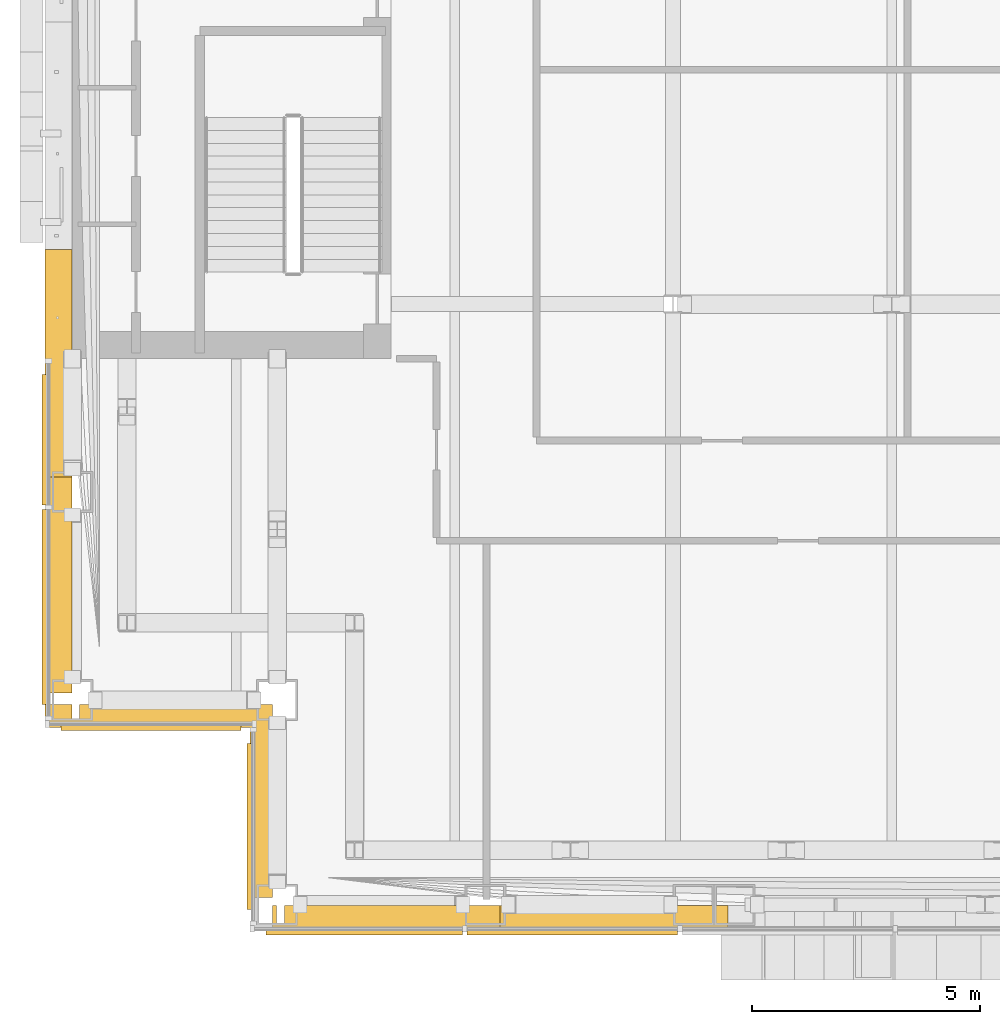
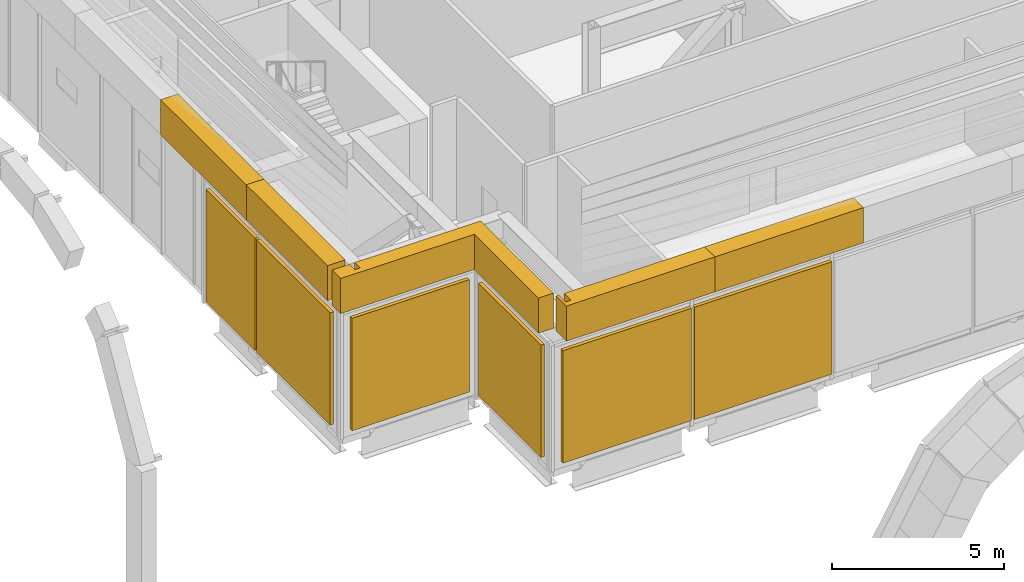
# One storey, part 15 of 38: 11 coverings.
"""IFC4 building model written with IfcOpenShell, lengths in metres."""

from ifc_helpers import new_model, si_unit, direction, frame, origin, origin_2d, place, context, subcontext, project, spatial, polyline, rectangle, outline, extrude, material, type_object, element, save


model = new_model("IFC4")

# Units and contexts
model_context = context("Model", 3, precision=1e-05, world=origin(), true_north=direction((0.0, 1.0)))
body_context = subcontext(model_context, "Body", "Model", "MODEL_VIEW")
ifc_project = project(units=[si_unit("LENGTHUNIT", "METRE"), si_unit("AREAUNIT", "SQUARE_METRE"), si_unit("VOLUMEUNIT", "CUBIC_METRE"), si_unit("PLANEANGLEUNIT", "RADIAN"), si_unit("MASSUNIT", "GRAM", prefix="KILO")], contexts=[model_context])

# Site, building, storey
site_placement = place(None, origin())
site = spatial("IfcSite", under=ifc_project, at=site_placement, CompositionType="ELEMENT")
building_placement = place(site_placement, origin())
building = spatial("IfcBuilding", under=site, at=building_placement, Name="Cobrizo Arcos Hotel Tower", CompositionType="ELEMENT")
storey_placement = place(building_placement, frame((0.0, 0.0, 138.0)))
storey = spatial("IfcBuildingStorey", under=building, at=storey_placement, Name="L35", CompositionType="ELEMENT", Elevation=138.0)

# Coverings
ifc_material_1 = material(Name="Aluminium 6063-T6 anodised pale", Category="aluminium")
covering_type_1 = type_object("IfcCoveringType", Name="LF-1 setback skirt", PredefinedType="CLADDING", material=ifc_material_1)
covering_1_placement = place(storey_placement, frame((0.0, 0.0, 4.5)))
element("IfcCovering", 1, at=covering_1_placement, inside=storey, type_object=covering_type_1, Name="Setback skirt L35", PredefinedType="CLADDING", context=body_context, shape_type="SweptSolid", body=[
    extrude(outline(polyline([(-22.81005859375, -18.699951171875), (-22.81005859375, -18.39990234375), (-23.39990234375, -18.39990234375), (-23.39990234375, -18.89990234375), (-18.89990234375, -18.89990234375), (-18.89990234375, -22.639892578125), (-18.39990234375, -22.639892578125), (-18.39990234375, -18.39990234375), (-22.639892578125, -18.39990234375), (-22.639892578125, -18.699951171875), (-22.639892578125, -18.700927734375), (-22.64013671875, -18.701904296875), (-22.640380859375, -18.702880859375), (-22.640869140625, -18.703857421875), (-22.64111328125, -18.70458984375), (-22.6416015625, -18.70556640625), (-22.642333984375, -18.706298828125), (-22.642822265625, -18.70703125), (-22.643798828125, -18.707763671875), (-22.644287109375, -18.708251953125), (-22.645263671875, -18.708740234375), (-22.646240234375, -18.709228515625), (-22.647216796875, -18.709716796875), (-22.64794921875, -18.709716796875), (-22.64892578125, -18.7099609375), (-22.64990234375, -18.7099609375), (-22.800048828125, -18.7099609375), (-22.801025390625, -18.7099609375), (-22.802001953125, -18.709716796875), (-22.802978515625, -18.709716796875), (-22.8037109375, -18.709228515625), (-22.8046875, -18.708740234375), (-22.8056640625, -18.708251953125), (-22.806396484375, -18.707763671875), (-22.80712890625, -18.70703125), (-22.8076171875, -18.706298828125), (-22.808349609375, -18.70556640625), (-22.808837890625, -18.70458984375), (-22.80908203125, -18.703857421875), (-22.8095703125, -18.702880859375), (-22.809814453125, -18.701904296875), (-22.81005859375, -18.700927734375), (-22.81005859375, -18.699951171875)])), origin(), (0.0, 0.0, 1.0), 1.25),
])
covering_2_placement = place(storey_placement, frame((0.0, 0.0, 4.5)))
element("IfcCovering", 2, at=covering_2_placement, inside=storey, type_object=covering_type_1, Name="Setback skirt L35", PredefinedType="CLADDING", context=body_context, shape_type="SweptSolid", body=[
    extrude(outline(polyline([(-22.81005859375, -18.139892578125), (-22.81005859375, -13.39990234375), (-23.39990234375, -13.39990234375), (-23.39990234375, -18.139892578125), (-22.81005859375, -18.139892578125)])), origin(), (0.0, 0.0, 1.0), 1.25),
])
covering_3_placement = place(storey_placement, frame((0.0, 0.0, 4.5)))
element("IfcCovering", 3, at=covering_3_placement, inside=storey, type_object=covering_type_1, Name="Setback skirt L35", PredefinedType="CLADDING", context=body_context, shape_type="SweptSolid", body=[
    extrude(outline(polyline([(-22.81005859375, -13.39990234375), (-22.81005859375, -8.39990234375), (-23.39990234375, -8.39990234375), (-23.39990234375, -13.39990234375), (-22.81005859375, -13.39990234375)])), origin(), (0.0, 0.0, 1.0), 1.25),
])
covering_4_placement = place(storey_placement, frame((0.0, 0.0, 4.5)))
element("IfcCovering", 4, at=covering_4_placement, inside=storey, type_object=covering_type_1, Name="Setback skirt L35", PredefinedType="CLADDING", context=body_context, shape_type="SweptSolid", body=[
    extrude(outline(polyline([(-18.31005859375, -22.81005859375), (-18.39990234375, -22.81005859375), (-18.39990234375, -23.39990234375), (-13.39990234375, -23.39990234375), (-13.39990234375, -22.81005859375), (-18.139892578125, -22.81005859375), (-18.139892578125, -23.199951171875), (-18.139892578125, -23.200927734375), (-18.14013671875, -23.201904296875), (-18.140380859375, -23.202880859375), (-18.140869140625, -23.203857421875), (-18.14111328125, -23.20458984375), (-18.1416015625, -23.20556640625), (-18.142333984375, -23.206298828125), (-18.142822265625, -23.20703125), (-18.143798828125, -23.207763671875), (-18.144287109375, -23.208251953125), (-18.145263671875, -23.208740234375), (-18.146240234375, -23.209228515625), (-18.147216796875, -23.209716796875), (-18.14794921875, -23.209716796875), (-18.14892578125, -23.2099609375), (-18.14990234375, -23.2099609375), (-18.300048828125, -23.2099609375), (-18.301025390625, -23.2099609375), (-18.302001953125, -23.209716796875), (-18.302978515625, -23.209716796875), (-18.3037109375, -23.209228515625), (-18.3046875, -23.208740234375), (-18.3056640625, -23.208251953125), (-18.306396484375, -23.207763671875), (-18.30712890625, -23.20703125), (-18.3076171875, -23.206298828125), (-18.308349609375, -23.20556640625), (-18.308837890625, -23.20458984375), (-18.30908203125, -23.203857421875), (-18.3095703125, -23.202880859375), (-18.309814453125, -23.201904296875), (-18.31005859375, -23.200927734375), (-18.31005859375, -23.199951171875), (-18.31005859375, -22.81005859375)])), origin(), (0.0, 0.0, 1.0), 1.25),
])
covering_5_placement = place(storey_placement, frame((0.0, 0.0, 4.5)))
element("IfcCovering", 5, at=covering_5_placement, inside=storey, type_object=covering_type_1, Name="Setback skirt L35", PredefinedType="CLADDING", context=body_context, shape_type="SweptSolid", body=[
    extrude(outline(polyline([(-8.39990234375, -22.81005859375), (-13.39990234375, -22.81005859375), (-13.39990234375, -23.39990234375), (-8.39990234375, -23.39990234375), (-8.39990234375, -22.81005859375)])), origin(), (0.0, 0.0, 1.0), 1.25),
])
ifc_material_2 = material(Name="Aluminium 6063-T6 anodised bronze", Category="aluminium")
covering_type_2 = type_object("IfcCoveringType", Name="LV-1 plant louvre band", PredefinedType="CLADDING", material=ifc_material_2)
covering_6_placement = place(storey_placement, frame((-16.387451171875, -23.405029296875, 0.25), z_axis=(0.0, 0.0, 1.0), x_axis=(1.0, 0.0, 0.0)))
element("IfcCovering", 6, at=covering_6_placement, inside=storey, type_object=covering_type_2, Name="louvre band 1275", PredefinedType="CLADDING", context=body_context, shape_type="SweptSolid", body=[
    extrude(rectangle(XDim=4.324951171875, YDim=0.1201171875, at=origin_2d()), origin(), (0.0, 0.0, 1.0), 4.0),
])
covering_7_placement = place(storey_placement, frame((-11.8125, -23.405029296875, 0.25), z_axis=(0.0, 0.0, 1.0), x_axis=(1.0, 0.0, 0.0)))
element("IfcCovering", 7, at=covering_7_placement, inside=storey, type_object=covering_type_2, Name="louvre band 1276", PredefinedType="CLADDING", context=body_context, shape_type="SweptSolid", body=[
    extrude(rectangle(XDim=4.625, YDim=0.1201171875, at=origin_2d()), origin(), (0.0, 0.0, 1.0), 4.0),
])
covering_8_placement = place(storey_placement, frame((-23.405029296875, -12.581298828125, 0.25), z_axis=(0.0, 0.0, 1.0), x_axis=(0.0, -1.0, 0.0)))
element("IfcCovering", 8, at=covering_8_placement, inside=storey, type_object=covering_type_2, Name="louvre band 1303", PredefinedType="CLADDING", context=body_context, shape_type="SweptSolid", body=[
    extrude(rectangle(XDim=2.862548828125, YDim=0.1201171875, at=origin_2d()), origin(), (0.0, 0.0, 1.0), 4.0),
])
covering_9_placement = place(storey_placement, frame((-23.405029296875, -16.25634765625, 0.25), z_axis=(0.0, 0.0, 1.0), x_axis=(0.0, -1.0, 0.0)))
element("IfcCovering", 9, at=covering_9_placement, inside=storey, type_object=covering_type_2, Name="louvre band 1304", PredefinedType="CLADDING", context=body_context, shape_type="SweptSolid", body=[
    extrude(rectangle(XDim=4.28759765625, YDim=0.1201171875, at=origin_2d()), origin(), (0.0, 0.0, 1.0), 4.0),
])
covering_10_placement = place(storey_placement, frame((-21.074951171875, -18.905029296875, 0.25), z_axis=(0.0, 0.0, 1.0), x_axis=(1.0, 0.0, 0.0)))
element("IfcCovering", 10, at=covering_10_placement, inside=storey, type_object=covering_type_2, Name="louvre band 1305", PredefinedType="CLADDING", context=body_context, shape_type="SweptSolid", body=[
    extrude(rectangle(XDim=3.949951171875, YDim=0.1201171875, at=origin_2d()), origin(), (0.0, 0.0, 1.0), 4.0),
])
covering_11_placement = place(storey_placement, frame((-18.905029296875, -21.074951171875, 0.25), z_axis=(0.0, 0.0, 1.0), x_axis=(0.0, -1.0, 0.0)))
element("IfcCovering", 11, at=covering_11_placement, inside=storey, type_object=covering_type_2, Name="louvre band 1306", PredefinedType="CLADDING", context=body_context, shape_type="SweptSolid", body=[
    extrude(rectangle(XDim=3.64990234375, YDim=0.1201171875, at=origin_2d()), origin(), (0.0, 0.0, 1.0), 4.0),
])

save(model, "model.ifc")
